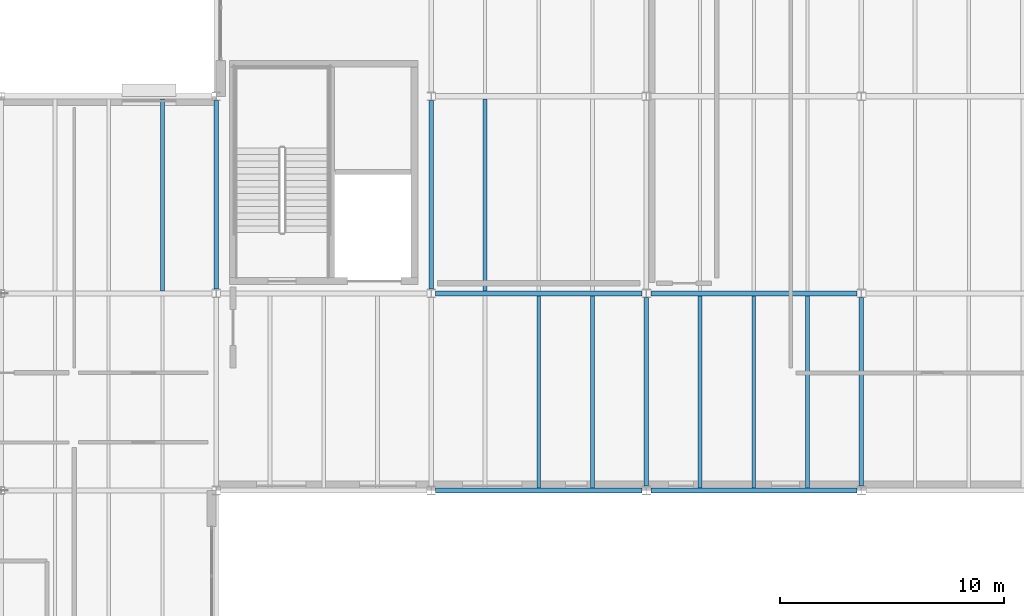
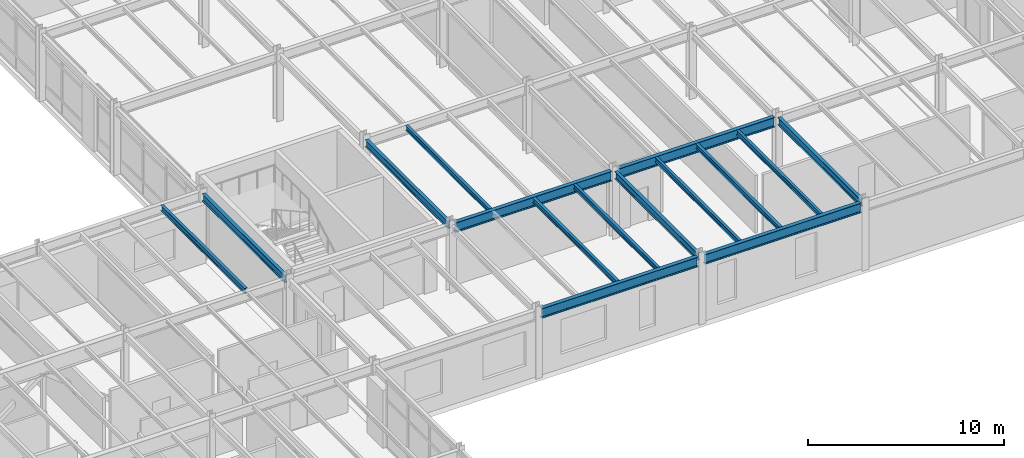
# One storey, part 36 of 88: 15 beams.
"""IFC4 building model written with IfcOpenShell, lengths in metres."""

from ifc_helpers import new_model, si_unit, direction, frame, origin, origin_2d, place, context, subcontext, project, spatial, i_section, extrude, material, material_profile, profile_set, type_object, element, save


model = new_model("IFC4")

# Units and contexts
model_context = context("Model", 3, precision=1e-05, world=origin(), true_north=direction((0.0, 1.0)))
body_context = subcontext(model_context, "Body", "Model", "MODEL_VIEW")
ifc_project = project(units=[si_unit("LENGTHUNIT", "METRE"), si_unit("AREAUNIT", "SQUARE_METRE"), si_unit("VOLUMEUNIT", "CUBIC_METRE"), si_unit("PLANEANGLEUNIT", "RADIAN"), si_unit("MASSUNIT", "GRAM", prefix="KILO")], contexts=[model_context])

# Site, building, storey
site_placement = place(None, origin())
site = spatial("IfcSite", under=ifc_project, at=site_placement, CompositionType="ELEMENT")
building_placement = place(site_placement, origin())
building = spatial("IfcBuilding", under=site, at=building_placement, Name="Sarnbrook Museum", CompositionType="ELEMENT")
storey_placement = place(building_placement, frame((0.0, 0.0, 10.10009765625)))
storey = spatial("IfcBuildingStorey", under=building, at=storey_placement, Name="L02", CompositionType="ELEMENT", Elevation=10.10009765625)

# Beams
ifc_material = material(Name="Structural Steel Grade 300PLUS (AS/NZS 3679.1, fy = 280 MPa for 17 < t <= 40 mm, 300 MPa for t <= 17 mm)", Category="steel")
ifc_material_profile_1 = material_profile(ifc_material, i_section(OverallWidth=0.18994140625, OverallDepth=0.45703125, WebThickness=0.009033203125, FlangeThickness=0.014404296875, FilletRadius=0.011474609375, at=origin_2d()), Name="460UB74.6")
ifc_profile_set_1 = profile_set([ifc_material_profile_1], Name="Structural Steel Grade 300PLUS (AS/NZS 3679.1, fy = 280 MPa for 17 < t <= 40 mm, 300 MPa for t <= 17 mm)")
beam_type_1 = type_object("IfcBeamType", Name="BM-UB460", PredefinedType="BEAM", material=ifc_profile_set_1)
for number, where, z_axis, x_axis, name in (
    (1, (42.39990234375, 83.39111328125, 3.9814453125), (0.0, 1.0, 0.0), (-1.0, 0.0, 0.0), "Girder 5:K-L L02"),
    (2, (52.0, 83.39111328125, 3.9814453125), (0.0, 1.0, 0.0), (-1.0, 0.0, 0.0), "Girder 6:K-L L02"),
    (3, (61.60009765625, 74.591064453125, 3.9814453125), (0.0, 1.0, 0.0), (-1.0, 0.0, 0.0), "Girder 7:J-K L02"),
    (4, (71.199951171875, 74.591064453125, 3.9814453125), (0.0, 1.0, 0.0), (-1.0, 0.0, 0.0), "Girder 8:J-K L02"),
):
    element("IfcBeam", number, at=place(storey_placement, frame(where, z_axis=z_axis, x_axis=x_axis)), inside=storey, type_object=beam_type_1, Name=name, PredefinedType="BEAM", context=body_context, shape_type="SweptSolid", body=[
        extrude(i_section(OverallWidth=0.18994140625, OverallDepth=0.45703125, WebThickness=0.009033203125, FlangeThickness=0.014404296875, FilletRadius=0.011474609375, at=origin_2d()), origin(), (0.0, 0.0, 1.0), 8.41796875),
    ])
ifc_material_profile_2 = material_profile(ifc_material, i_section(OverallWidth=0.22802734375, OverallDepth=0.60693359375, WebThickness=0.01123046875, FlangeThickness=0.017333984375, FilletRadius=0.013916015625, at=origin_2d()), Name="610UB113")
ifc_profile_set_2 = profile_set([ifc_material_profile_2], Name="Structural Steel Grade 300PLUS (AS/NZS 3679.1, fy = 280 MPa for 17 < t <= 40 mm, 300 MPa for t <= 17 mm)")
beam_type_2 = type_object("IfcBeamType", Name="BM-UB610", PredefinedType="BEAM", material=ifc_profile_set_2)
for number, where, z_axis, x_axis, name in (
    (5, (52.199951171875, 74.39990234375, 3.906494140625), (1.0, 0.0, 0.0), (0.0, 1.0, 0.0), "Girder J:6-7 L02"),
    (6, (61.800048828125, 74.39990234375, 3.906494140625), (1.0, 0.0, 0.0), (0.0, 1.0, 0.0), "Girder J:7-8 L02"),
    (7, (52.199951171875, 83.199951171875, 3.906494140625), (1.0, 0.0, 0.0), (0.0, 1.0, 0.0), "Girder K:6-7 L02"),
    (8, (61.800048828125, 83.199951171875, 3.906494140625), (1.0, 0.0, 0.0), (0.0, 1.0, 0.0), "Girder K:7-8 L02"),
):
    element("IfcBeam", number, at=place(storey_placement, frame(where, z_axis=z_axis, x_axis=x_axis)), inside=storey, type_object=beam_type_2, Name=name, PredefinedType="BEAM", context=body_context, shape_type="SweptSolid", body=[
        extrude(i_section(OverallWidth=0.22802734375, OverallDepth=0.60693359375, WebThickness=0.01123046875, FlangeThickness=0.017333984375, FilletRadius=0.013916015625, at=origin_2d()), origin(), (0.0, 0.0, 1.0), 9.199951171875),
    ])
ifc_material_profile_3 = material_profile(ifc_material, i_section(OverallWidth=0.1650390625, OverallDepth=0.303955078125, WebThickness=0.006103515625, FlangeThickness=0.01025390625, FilletRadius=0.011474609375, at=origin_2d()), Name="310UB40.4")
ifc_profile_set_3 = profile_set([ifc_material_profile_3], Name="Structural Steel Grade 300PLUS (AS/NZS 3679.1, fy = 280 MPa for 17 < t <= 40 mm, 300 MPa for t <= 17 mm)")
beam_type_3 = type_object("IfcBeamType", Name="JS-UB310", PredefinedType="JOIST", material=ifc_profile_set_3)
for number, where, z_axis, x_axis, name in (
    (9, (54.39990234375, 83.31396484375, 4.057861328125), (0.0, 1.0, 0.0), (-1.0, 0.0, 0.0), "Composite Floor Joist 6K-1 L02"),
    (10, (64.0, 74.513916015625, 4.057861328125), (0.0, 1.0, 0.0), (-1.0, 0.0, 0.0), "Composite Floor Joist 7J-1 L02"),
    (11, (66.39990234375, 74.513916015625, 4.057861328125), (0.0, 1.0, 0.0), (-1.0, 0.0, 0.0), "Composite Floor Joist 7J-2 L02"),
    (12, (68.800048828125, 74.513916015625, 4.057861328125), (0.0, 1.0, 0.0), (-1.0, 0.0, 0.0), "Composite Floor Joist 7J-3 L02"),
):
    element("IfcBeam", number, at=place(storey_placement, frame(where, z_axis=z_axis, x_axis=x_axis)), inside=storey, type_object=beam_type_3, Name=name, PredefinedType="JOIST", context=body_context, shape_type="SweptSolid", body=[
        extrude(i_section(OverallWidth=0.1650390625, OverallDepth=0.303955078125, WebThickness=0.006103515625, FlangeThickness=0.01025390625, FilletRadius=0.011474609375, at=origin_2d()), origin(), (0.0, 0.0, 1.0), 8.572021484375),
    ])
ifc_material_profile_4 = material_profile(ifc_material, i_section(OverallWidth=0.166015625, OverallDepth=0.306884765625, WebThickness=0.006591796875, FlangeThickness=0.01171875, FilletRadius=0.011474609375, at=origin_2d()), Name="310UB46.2")
ifc_profile_set_4 = profile_set([ifc_material_profile_4], Name="Structural Steel Grade 300PLUS (AS/NZS 3679.1, fy = 280 MPa for 17 < t <= 40 mm, 300 MPa for t <= 17 mm)")
beam_type_4 = type_object("IfcBeamType", Name="JS-UB310H", PredefinedType="JOIST", material=ifc_profile_set_4)
for number, where, z_axis, x_axis, name in (
    (13, (56.800048828125, 74.513916015625, 4.056396484375), (0.0, 1.0, 0.0), (-1.0, 0.0, 0.0), "Composite Floor Joist 6J-2 L02"),
    (14, (59.199951171875, 74.513916015625, 4.056396484375), (0.0, 1.0, 0.0), (-1.0, 0.0, 0.0), "Composite Floor Joist 6J-3 L02"),
):
    element("IfcBeam", number, at=place(storey_placement, frame(where, z_axis=z_axis, x_axis=x_axis)), inside=storey, type_object=beam_type_4, Name=name, PredefinedType="JOIST", context=body_context, shape_type="SweptSolid", body=[
        extrude(i_section(OverallWidth=0.166015625, OverallDepth=0.306884765625, WebThickness=0.006591796875, FlangeThickness=0.01171875, FilletRadius=0.011474609375, at=origin_2d()), origin(), (0.0, 0.0, 1.0), 8.572021484375),
    ])
ifc_material_profile_5 = material_profile(ifc_material, i_section(OverallWidth=0.1708984375, OverallDepth=0.35595703125, WebThickness=0.00732421875, FlangeThickness=0.011474609375, FilletRadius=0.011474609375, at=origin_2d()), Name="360UB50.7")
ifc_profile_set_5 = profile_set([ifc_material_profile_5], Name="Structural Steel Grade 300PLUS (AS/NZS 3679.1, fy = 280 MPa for 17 < t <= 40 mm, 300 MPa for t <= 17 mm)")
beam_type_5 = type_object("IfcBeamType", Name="JS-UB360", PredefinedType="JOIST", material=ifc_profile_set_5)
beam_placement = place(storey_placement, frame((40.0, 83.31396484375, 4.11181640625), z_axis=(0.0, 1.0, 0.0), x_axis=(-1.0, 0.0, 0.0)))
element("IfcBeam", 15, at=beam_placement, inside=storey, type_object=beam_type_5, Name="Composite Floor Joist 4K-3 L02", PredefinedType="JOIST", context=body_context, shape_type="SweptSolid", body=[
    extrude(i_section(OverallWidth=0.1708984375, OverallDepth=0.35595703125, WebThickness=0.00732421875, FlangeThickness=0.011474609375, FilletRadius=0.011474609375, at=origin_2d()), origin(), (0.0, 0.0, 1.0), 8.572021484375),
])

save(model, "model.ifc")
